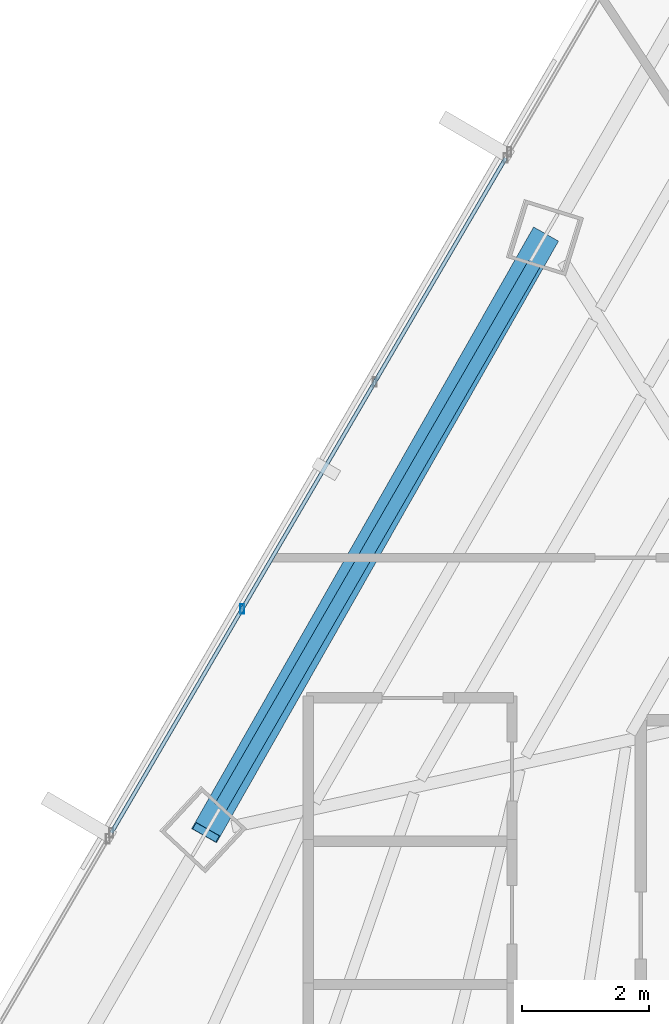
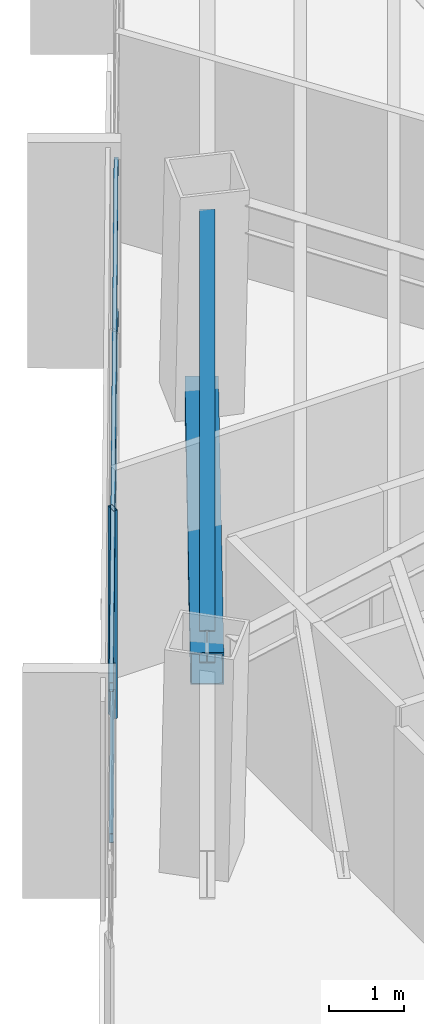
# One storey, part 14 of 41: 4 members, 1 beam, 1 element without a shape of its own.
"""IFC4 building model written with IfcOpenShell, lengths in metres."""

from ifc_helpers import new_model, si_unit, direction, frame, origin, origin_2d, place, context, subcontext, project, spatial, hollow_rectangle, i_section, extrude, source, transform, mapped, material, material_profile, profile_set, type_object, type_shapes, element, aggregate, save


model = new_model("IFC4")

# Units and contexts
model_context = context("Model", 3, precision=1e-05, world=origin(), true_north=direction((0.0, 1.0)))
body_context = subcontext(model_context, "Body", "Model", "MODEL_VIEW")
ifc_project = project(units=[si_unit("LENGTHUNIT", "METRE"), si_unit("AREAUNIT", "SQUARE_METRE"), si_unit("VOLUMEUNIT", "CUBIC_METRE"), si_unit("PLANEANGLEUNIT", "RADIAN"), si_unit("MASSUNIT", "GRAM", prefix="KILO")], contexts=[model_context])

# Site, building, storey
site_placement = place(None, origin())
site = spatial("IfcSite", under=ifc_project, at=site_placement, CompositionType="ELEMENT")
building_placement = place(site_placement, origin())
building = spatial("IfcBuilding", under=site, at=building_placement, Name="Caelisora Broadcast Tower", CompositionType="ELEMENT")
storey_placement = place(building_placement, frame((0.0, 0.0, 135.449951171875)))
storey = spatial("IfcBuildingStorey", under=building, at=storey_placement, Name="L35", CompositionType="ELEMENT", Elevation=135.449951171875)

# Beam
ifc_material_1 = material(Name="Steel Grade 350 (AS/NZS 3679.1)", Category="steel")
ifc_material_profile_1 = material_profile(ifc_material_1, i_section(OverallWidth=0.208984375, OverallDepth=0.532958984375, WebThickness=0.01025390625, FlangeThickness=0.015625, at=origin_2d()), Name="Steel Grade 350 (AS/NZS 3679.1)")
ifc_profile_set_1 = profile_set([ifc_material_profile_1], Name="Steel Grade 350 (AS/NZS 3679.1)")
beam_type = type_object("IfcBeamType", Name="PG05", PredefinedType="BEAM", material=ifc_profile_set_1)
shared_shape_1 = source(origin(), body_context, "Body", "SweptSolid", [
    extrude(i_section(OverallWidth=0.208984375, OverallDepth=0.532958984375, WebThickness=0.01025390625, FlangeThickness=0.015625, at=origin_2d()), origin(), (0.0, 0.0, 1.0), 9.8359375),
])
type_shapes(beam_type, [shared_shape_1])
beam_placement = place(storey_placement, frame((25.743896484375, 36.7548828125, 3.133544921875), z_axis=(-0.499993889515, -0.866028931646, 0.0), x_axis=(0.866028931646, -0.499993889515, 0.0)))
element("IfcBeam", 1, at=beam_placement, inside=storey, type_object=beam_type, Name="L35 beam PG05", PredefinedType="BEAM", context=body_context, shape_type="MappedRepresentation", body=[
    mapped(shared_shape_1, transform((0.0, 0.0, 0.0), scale=1.0)),
])

# Member
ifc_material_2 = material(Name="Steel Grade 450 (AS/NZS 1163 C450L0)", Category="steel")
ifc_material_profile_2 = material_profile(ifc_material_2, hollow_rectangle(XDim=0.449951171875, YDim=0.449951171875, WallThickness=0.01611328125, at=origin_2d()), Name="Steel Grade 450 (AS/NZS 1163 C450L0)")
ifc_profile_set_2 = profile_set([ifc_material_profile_2], Name="Steel Grade 450 (AS/NZS 1163 C450L0)")
member_type_1 = type_object("IfcMemberType", Name="BR03", PredefinedType="BRACE", material=ifc_profile_set_2)
shared_shape_2 = source(origin(), body_context, "Body", "SweptSolid", [
    extrude(hollow_rectangle(XDim=0.449951171875, YDim=0.449951171875, WallThickness=0.01611328125, at=origin_2d()), origin(), (0.0, 0.0, 1.0), 11.1513671875),
])
type_shapes(member_type_1, [shared_shape_2])
member_1_placement = place(storey_placement, frame((25.9033203125, 37.17529296875, 0.10009765625), z_axis=(-0.475943545556, -0.837318225299, 0.269027751405), x_axis=(0.869369780483, -0.49416210375, 0.0)))
element("IfcMember", 2, at=member_1_placement, inside=storey, type_object=member_type_1, Name="L35 perimeter brace BR03", PredefinedType="BRACE", context=body_context, shape_type="MappedRepresentation", body=[
    mapped(shared_shape_2, transform((0.0, 0.0, 0.0), scale=1.0)),
])

# Curtain wall, members
ifc_material_3 = material(Name="Unitised Aluminium Insulated Shadow-Box Spandrel Curtain Wall", Category="aluminium")
curtain_wall_type = type_object("IfcCurtainWallType", Name="CW-SP2", PredefinedType="NOTDEFINED", material=ifc_material_3)
curtain_wall_placement = place(storey_placement, origin())
curtain_wall = element("IfcCurtainWall", 3, at=curtain_wall_placement, inside=storey, type_object=curtain_wall_type, Name="L35 curtain wall CW-SP2", PredefinedType="NOTDEFINED")
ifc_material_4 = material(Name="Aluminium 6063-T6 Anodised Terracotta Bronze", Category="aluminium")
ifc_material_profile_3 = material_profile(ifc_material_4, hollow_rectangle(XDim=0.06005859375, YDim=0.14990234375, WallThickness=0.00341796875, at=origin_2d()), Name="Aluminium 6063-T6 Anodised Terracotta Bronze")
ifc_profile_set_3 = profile_set([ifc_material_profile_3], Name="Aluminium 6063-T6 Anodised Terracotta Bronze")
member_type_2 = type_object("IfcMemberType", Name="CWM-03", PredefinedType="MULLION", material=ifc_profile_set_3)
shared_shape_3 = source(origin(), body_context, "Body", "SweptSolid", [
    extrude(hollow_rectangle(XDim=0.06005859375, YDim=0.14990234375, WallThickness=0.00341796875, at=origin_2d()), origin(), (0.0, 0.0, 1.0), 3.400146484375),
])
type_shapes(member_type_2, [shared_shape_3])
member_2_placement = place(storey_placement, frame((21.165771484375, 31.34716796875, 0.0), z_axis=(0.0, 0.0, 1.0), x_axis=(1.0, 0.0, 0.0)))
member_2 = element("IfcMember", 4, at=member_2_placement, type_object=member_type_2, Name="L35-CW-B10 mullion #1", PredefinedType="MULLION", context=body_context, shape_type="MappedRepresentation", body=[
    mapped(shared_shape_3, transform((0.0, 0.0, 0.0), scale=1.0)),
])
ifc_material_profile_4 = material_profile(ifc_material_4, hollow_rectangle(XDim=0.06005859375, YDim=0.14990234375, WallThickness=0.00341796875, at=origin_2d()), Name="Aluminium 6063-T6 Anodised Terracotta Bronze")
ifc_profile_set_4 = profile_set([ifc_material_profile_4], Name="Aluminium 6063-T6 Anodised Terracotta Bronze")
member_type_3 = type_object("IfcMemberType", Name="CWT-02", PredefinedType="USERDEFINED", material=ifc_profile_set_4)
shared_shape_4 = source(origin(), body_context, "Body", "SweptSolid", [
    extrude(hollow_rectangle(XDim=0.06005859375, YDim=0.14990234375, WallThickness=0.00341796875, at=origin_2d()), origin(), (0.0, 0.0, 1.0), 12.262939453125),
])
type_shapes(member_type_3, [shared_shape_4])
member_3_placement = place(storey_placement, frame((19.11181640625, 27.832275390625, 0.85009765625), z_axis=(0.504547975227, 0.86338365788, 0.0), x_axis=(-0.86338365788, 0.504547975227, 0.0)))
member_3 = element("IfcMember", 5, at=member_3_placement, type_object=member_type_3, Name="L35-CW-B10 transom #1", ObjectType="TRANSOM", PredefinedType="USERDEFINED", context=body_context, shape_type="MappedRepresentation", body=[
    mapped(shared_shape_4, transform((0.0, 0.0, 0.0), scale=1.0)),
])
member_4_placement = place(storey_placement, frame((19.11181640625, 27.832275390625, 3.320068359375), z_axis=(0.504547975227, 0.86338365788, 0.0), x_axis=(-0.86338365788, 0.504547975227, 0.0)))
member_4 = element("IfcMember", 6, at=member_4_placement, type_object=member_type_3, Name="L35-CW-B10 transom #2", ObjectType="TRANSOM", PredefinedType="USERDEFINED", context=body_context, shape_type="MappedRepresentation", body=[
    mapped(shared_shape_4, transform((0.0, 0.0, 0.0), scale=1.0)),
])
aggregate(curtain_wall, [member_2, member_3, member_4])

save(model, "model.ifc")
